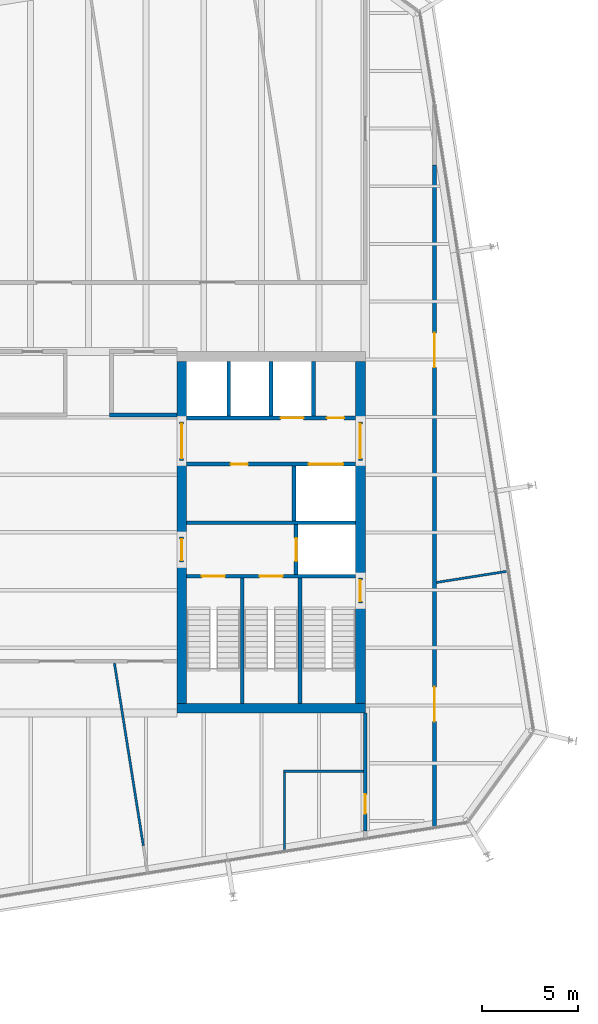
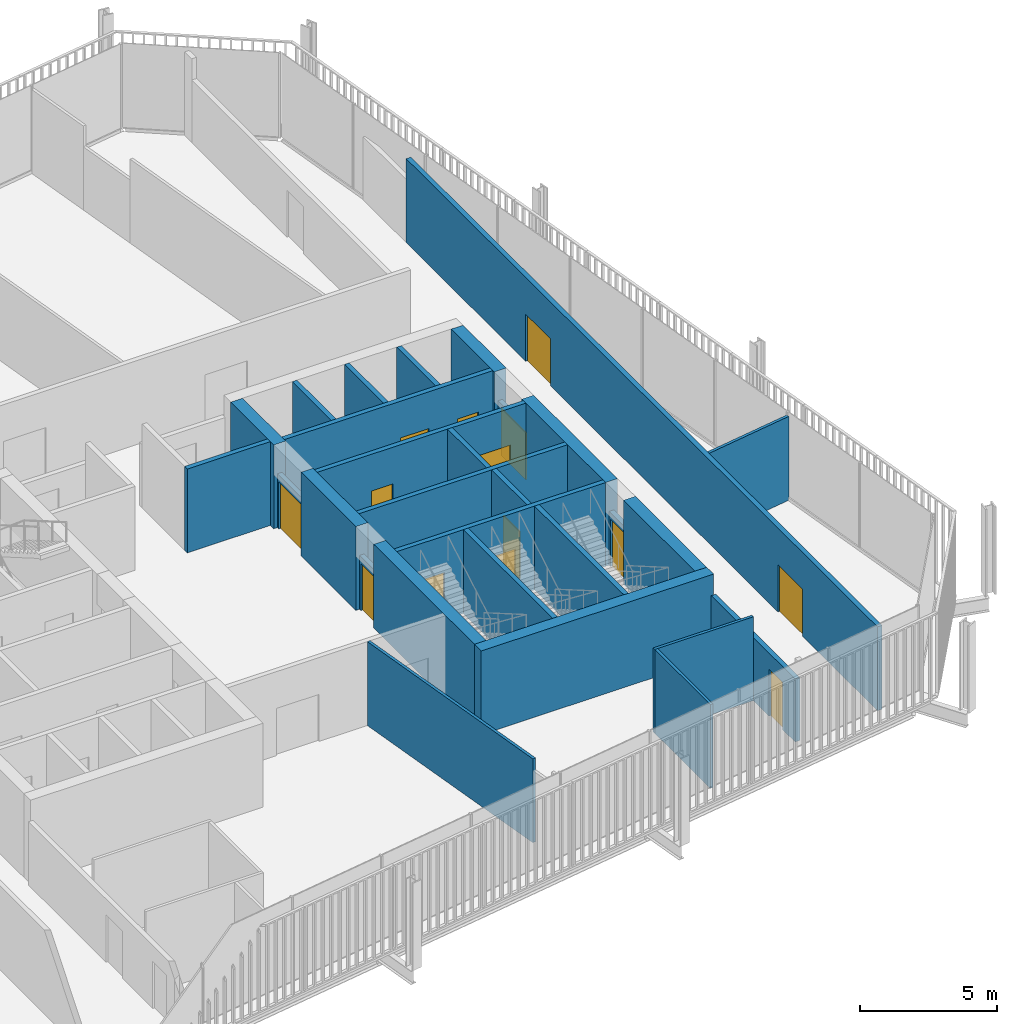
# One storey, part 17 of 20: 29 walls, 14 doors, 14 openings.
"""IFC4 building model written with IfcOpenShell, lengths in metres."""

from ifc_helpers import new_model, si_unit, direction, frame, frame_2d, origin, place, context, subcontext, project, spatial, rectangle, extrude, material, layer, layer_set, type_object, element, fill, save


model = new_model("IFC4")

# Units and contexts
model_context = context("Model", 3, precision=1e-05, world=origin(), true_north=direction((0.0, 1.0)))
body_context = subcontext(model_context, "Body", "Model", "MODEL_VIEW")
ifc_project = project(units=[si_unit("LENGTHUNIT", "METRE"), si_unit("AREAUNIT", "SQUARE_METRE"), si_unit("VOLUMEUNIT", "CUBIC_METRE"), si_unit("PLANEANGLEUNIT", "RADIAN"), si_unit("MASSUNIT", "GRAM", prefix="KILO")], contexts=[model_context])

# Site, building, storey
site_placement = place(None, origin())
site = spatial("IfcSite", under=ifc_project, at=site_placement, CompositionType="ELEMENT")
building_placement = place(site_placement, origin())
building = spatial("IfcBuilding", under=site, at=building_placement, Name="Millrace Tower", CompositionType="ELEMENT")
storey_placement = place(building_placement, frame((0.0, 0.0, 224.199951171875)))
storey = spatial("IfcBuildingStorey", under=building, at=storey_placement, Name="L51", CompositionType="ELEMENT", Elevation=224.199951171875)

# Walls
ifc_material_1 = material(Name="Concrete C60", Category="concrete")
ifc_layer_1 = layer(ifc_material_1, 0.5)
ifc_layer_set_1 = layer_set([ifc_layer_1], Name="Concrete C60")
wall_type_1 = type_object("IfcWallType", Name="Core wall 500 Concrete C60", PredefinedType="SHEAR", material=ifc_layer_set_1)
wall_1_placement = place(storey_placement, frame((14.39990234375, -9.14990234375, 0.0), z_axis=(0.0, 0.0, 1.0), x_axis=(-1.0, 0.0, 0.0)))
element("IfcWall", 1, at=wall_1_placement, inside=storey, type_object=wall_type_1, Name="Core wall E L51", PredefinedType="SHEAR", context=body_context, shape_type="SweptSolid", body=[
    extrude(rectangle(XDim=9.7998046875, YDim=0.5, at=frame_2d((4.89990234375, 0.0))), origin(), (0.0, 0.0, 1.0), 3.739990234375),
])
wall_2_placement = place(storey_placement, frame((14.14990234375, 8.89990234375, 0.0), z_axis=(0.0, 0.0, 1.0), x_axis=(0.0, -1.0, 0.0)))
element("IfcWall", 2, at=wall_2_placement, inside=storey, type_object=wall_type_1, Name="Core wall E L51", PredefinedType="SHEAR", context=body_context, shape_type="SweptSolid", body=[
    extrude(rectangle(XDim=3.14990234375, YDim=0.5, at=frame_2d((1.574951171875, 0.0))), origin(), (0.0, 0.0, 1.0), 3.739990234375),
])
wall_3_placement = place(storey_placement, frame((14.14990234375, 3.75, 0.0), z_axis=(0.0, 0.0, 1.0), x_axis=(0.0, -1.0, 0.0)))
element("IfcWall", 3, at=wall_3_placement, inside=storey, type_object=wall_type_1, Name="Core wall E L51", PredefinedType="SHEAR", context=body_context, shape_type="SweptSolid", body=[
    extrude(rectangle(XDim=6.1298828125, YDim=0.5, at=frame_2d((3.06494140625, 0.0))), origin(), (0.0, 0.0, 1.0), 3.739990234375),
])
wall_4_placement = place(storey_placement, frame((14.14990234375, -3.679931640625, 0.0), z_axis=(0.0, 0.0, 1.0), x_axis=(0.0, -1.0, 0.0)))
element("IfcWall", 4, at=wall_4_placement, inside=storey, type_object=wall_type_1, Name="Core wall E L51", PredefinedType="SHEAR", context=body_context, shape_type="SweptSolid", body=[
    extrude(rectangle(XDim=5.219970703125, YDim=0.5, at=frame_2d((2.60986328125, 0.0))), origin(), (0.0, 0.0, 1.0), 3.739990234375),
])
wall_5_placement = place(storey_placement, frame((4.85009765625, 8.89990234375, 0.0), z_axis=(0.0, 0.0, 1.0), x_axis=(0.0, -1.0, 0.0)))
element("IfcWall", 5, at=wall_5_placement, inside=storey, type_object=wall_type_1, Name="Core wall E L51", PredefinedType="SHEAR", context=body_context, shape_type="SweptSolid", body=[
    extrude(rectangle(XDim=3.14990234375, YDim=0.5, at=frame_2d((1.574951171875, 0.0))), origin(), (0.0, 0.0, 1.0), 3.739990234375),
])
wall_6_placement = place(storey_placement, frame((4.85009765625, 3.75, 0.0), z_axis=(0.0, 0.0, 1.0), x_axis=(0.0, -1.0, 0.0)))
element("IfcWall", 6, at=wall_6_placement, inside=storey, type_object=wall_type_1, Name="Core wall E L51", PredefinedType="SHEAR", context=body_context, shape_type="SweptSolid", body=[
    extrude(rectangle(XDim=4.0, YDim=0.5, at=frame_2d((2.0, 0.0))), origin(), (0.0, 0.0, 1.0), 3.739990234375),
])
wall_7_placement = place(storey_placement, frame((4.85009765625, -1.550048828125, 0.0), z_axis=(0.0, 0.0, 1.0), x_axis=(0.0, -1.0, 0.0)))
element("IfcWall", 7, at=wall_7_placement, inside=storey, type_object=wall_type_1, Name="Core wall E L51", PredefinedType="SHEAR", context=body_context, shape_type="SweptSolid", body=[
    extrude(rectangle(XDim=7.349853515625, YDim=0.5, at=frame_2d((3.6748046875, 0.0))), origin(), (0.0, 0.0, 1.0), 3.739990234375),
])
ifc_material_2 = material(Name="Masonry partition, fire-rated", Category="masonry")
ifc_layer_2 = layer(ifc_material_2, 0.199951171875)
ifc_layer_set_2 = layer_set([ifc_layer_2], Name="Masonry partition, fire-rated")
wall_type_2 = type_object("IfcWallType", Name="Corridor wall 200", PredefinedType="PARTITIONING", material=ifc_layer_set_2)
wall_8_placement = place(storey_placement, frame((1.10009765625, 6.10009765625, 0.0), z_axis=(0.0, 0.0, 1.0), x_axis=(1.0, 0.0, 0.0)))
element("IfcWall", 8, at=wall_8_placement, inside=storey, type_object=wall_type_2, Name="Corridor wall L51", PredefinedType="PARTITIONING", context=body_context, shape_type="SweptSolid", body=[
    extrude(rectangle(XDim=3.5, YDim=0.199951171875, at=frame_2d((1.75, 0.0))), origin(), (0.0, 0.0, 1.0), 3.739990234375),
])

# Wall, openings, doors
wall_9_placement = place(storey_placement, frame((18.0, -15.304443359375, 0.0), z_axis=(0.0, 0.0, 1.0), x_axis=(0.0, 1.0, 0.0)))
wall_9 = element("IfcWall", 9, at=wall_9_placement, inside=storey, type_object=wall_type_2, Name="Corridor wall L51", PredefinedType="PARTITIONING", context=body_context, shape_type="SweptSolid", body=[
    extrude(rectangle(XDim=34.421630859375, YDim=0.199951171875, at=frame_2d((17.2109375, 0.0))), origin(), (0.0, 0.0, 1.0), 3.739990234375),
])
opening_1_placement = place(wall_9_placement, frame((5.46826171875, 0.0, 0.0)))
opening_1 = element("IfcOpeningElement", 10, at=opening_1_placement, cuts=wall_9, Name="Opening 51-P012", PredefinedType="OPENING", context=body_context, shape_type="SweptSolid", body=[
    extrude(rectangle(XDim=1.800048828125, YDim=2.10009765625, at=frame_2d((0.89990234375, 1.050048828125))), frame((0.0, 0.10986328125, 0.0), z_axis=(0.0, -1.0, 0.0), x_axis=(1.0, 0.0, 0.0)), (0.0, 0.0, 1.0), 0.219970703125),
])
opening_2_placement = place(wall_9_placement, frame((23.887939453125, 0.0, 0.0)))
opening_2 = element("IfcOpeningElement", 11, at=opening_2_placement, cuts=wall_9, Name="Opening 51-P013", PredefinedType="OPENING", context=body_context, shape_type="SweptSolid", body=[
    extrude(rectangle(XDim=1.800048828125, YDim=2.10009765625, at=frame_2d((0.89990234375, 1.050048828125))), frame((0.0, 0.10986328125, 0.0), z_axis=(0.0, -1.0, 0.0), x_axis=(1.0, 0.0, 0.0)), (0.0, 0.0, 1.0), 0.219970703125),
])
ifc_material_3 = material(Name="Steel door set, fire-rated", Category="steel")
door_type_1 = type_object("IfcDoorType", Name="Corridor door 1800 x 2100", OperationType="DOUBLE_DOOR_SINGLE_SWING", PredefinedType="DOOR", material=ifc_material_3)
door_1_placement = place(opening_1_placement, frame((1.800048828125, 0.0, 0.0), z_axis=(0.0, 0.0, 1.0), x_axis=(-1.0, 0.0, 0.0)))
door_1 = element("IfcDoor", 12, at=door_1_placement, inside=storey, type_object=door_type_1, Name="Door 51-P012", OperationType="DOUBLE_DOOR_SINGLE_SWING", OverallHeight=2.10009765625, OverallWidth=1.800048828125, PredefinedType="DOOR", context=body_context, shape_type="SweptSolid", body=[
    extrude(rectangle(XDim=1.800048828125, YDim=2.10009765625, at=frame_2d((0.89990234375, 1.050048828125))), frame((0.0, 0.02490234375, 0.0), z_axis=(0.0, -1.0, 0.0), x_axis=(1.0, 0.0, 0.0)), (0.0, 0.0, 1.0), 0.050048828125),
])
fill(opening_1, door_1)
door_2_placement = place(opening_2_placement, frame((1.800048828125, 0.0, 0.0), z_axis=(0.0, 0.0, 1.0), x_axis=(-1.0, 0.0, 0.0)))
door_2 = element("IfcDoor", 13, at=door_2_placement, inside=storey, type_object=door_type_1, Name="Door 51-P013", OperationType="DOUBLE_DOOR_SINGLE_SWING", OverallHeight=2.10009765625, OverallWidth=1.800048828125, PredefinedType="DOOR", context=body_context, shape_type="SweptSolid", body=[
    extrude(rectangle(XDim=1.800048828125, YDim=2.10009765625, at=frame_2d((0.89990234375, 1.050048828125))), frame((0.0, 0.02490234375, 0.0), z_axis=(0.0, -1.0, 0.0), x_axis=(1.0, 0.0, 0.0)), (0.0, 0.0, 1.0), 0.050048828125),
])
fill(opening_2, door_2)

# Wall, opening, door
wall_10_placement = place(storey_placement, frame((14.39990234375, -15.52490234375, 0.0), z_axis=(0.0, 0.0, 1.0), x_axis=(0.0, 1.0, 0.0)))
wall_10 = element("IfcWall", 14, at=wall_10_placement, inside=storey, type_object=wall_type_2, Name="Corridor wall L51", PredefinedType="PARTITIONING", context=body_context, shape_type="SweptSolid", body=[
    extrude(rectangle(XDim=6.125, YDim=0.199951171875, at=frame_2d((3.0625, 0.0))), origin(), (0.0, 0.0, 1.0), 2.81298828125),
])
opening_3_placement = place(wall_10_placement, frame((0.90087890625, 0.0, 0.0)))
opening_3 = element("IfcOpeningElement", 15, at=opening_3_placement, cuts=wall_10, Name="Opening 51-P018", PredefinedType="OPENING", context=body_context, shape_type="SweptSolid", body=[
    extrude(rectangle(XDim=1.0, YDim=2.10009765625, at=frame_2d((0.5, 1.050048828125))), frame((0.0, 0.10986328125, 0.0), z_axis=(0.0, -1.0, 0.0), x_axis=(1.0, 0.0, 0.0)), (0.0, 0.0, 1.0), 0.219970703125),
])
ifc_material_4 = material(Name="Steel door set, fire-rated", Category="steel")
door_type_2 = type_object("IfcDoorType", Name="Corridor door 1000 x 2100", OperationType="SINGLE_SWING_LEFT", PredefinedType="DOOR", material=ifc_material_4)
door_3_placement = place(opening_3_placement, origin())
door_3 = element("IfcDoor", 16, at=door_3_placement, inside=storey, type_object=door_type_2, Name="Door 51-P018", OperationType="SINGLE_SWING_LEFT", OverallHeight=2.10009765625, OverallWidth=1.0, PredefinedType="DOOR", context=body_context, shape_type="SweptSolid", body=[
    extrude(rectangle(XDim=1.0, YDim=2.10009765625, at=frame_2d((0.5, 1.050048828125))), frame((0.0, 0.02490234375, 0.0), z_axis=(0.0, -1.0, 0.0), x_axis=(1.0, 0.0, 0.0)), (0.0, 0.0, 1.0), 0.050048828125),
])
fill(opening_3, door_3)

# Wall, openings, doors
ifc_material_5 = material(Name="Masonry partition, fire-rated", Category="masonry")
ifc_layer_3 = layer(ifc_material_5, 0.199951171875)
ifc_layer_set_3 = layer_set([ifc_layer_3], Name="Masonry partition, fire-rated")
wall_type_3 = type_object("IfcWallType", Name="Lift shaft wall 200", PredefinedType="PARTITIONING", material=ifc_layer_set_3)
wall_11_placement = place(storey_placement, frame((13.89990234375, 5.949951171875, 0.0), z_axis=(0.0, 0.0, 1.0), x_axis=(-1.0, 0.0, 0.0)))
wall_11 = element("IfcWall", 17, at=wall_11_placement, inside=storey, type_object=wall_type_3, Name="Lift shaft wall E L51", PredefinedType="PARTITIONING", context=body_context, shape_type="SweptSolid", body=[
    extrude(rectangle(XDim=8.7998046875, YDim=0.199951171875, at=frame_2d((4.39990234375, 0.0))), origin(), (0.0, 0.0, 1.0), 3.739990234375),
])
opening_4_placement = place(wall_11_placement, frame((2.699951171875, 0.0, 0.0)))
opening_4 = element("IfcOpeningElement", 18, at=opening_4_placement, cuts=wall_11, Name="Opening 51-LD10", PredefinedType="OPENING", context=body_context, shape_type="SweptSolid", body=[
    extrude(rectangle(XDim=1.199951171875, YDim=2.10009765625, at=frame_2d((0.60009765625, 1.050048828125))), frame((0.0, 0.10986328125, 0.0), z_axis=(0.0, -1.0, 0.0), x_axis=(1.0, 0.0, 0.0)), (0.0, 0.0, 1.0), 0.219970703125),
])
opening_5_placement = place(wall_11_placement, frame((0.60009765625, 0.0, 0.0)))
opening_5 = element("IfcOpeningElement", 19, at=opening_5_placement, cuts=wall_11, Name="Opening 51-C013", PredefinedType="OPENING", context=body_context, shape_type="SweptSolid", body=[
    extrude(rectangle(XDim=0.89990234375, YDim=2.10009765625, at=frame_2d((0.449951171875, 1.050048828125))), frame((0.0, 0.10986328125, 0.0), z_axis=(0.0, -1.0, 0.0), x_axis=(1.0, 0.0, 0.0)), (0.0, 0.0, 1.0), 0.219970703125),
])
ifc_material_6 = material(Name="Stainless steel, fire-rated", Category="steel")
door_type_3 = type_object("IfcDoorType", Name="Lift landing door 1200 x 2100", OperationType="DOUBLE_DOOR_SLIDING", PredefinedType="DOOR", material=ifc_material_6)
door_4_placement = place(opening_4_placement, origin())
door_4 = element("IfcDoor", 20, at=door_4_placement, inside=storey, type_object=door_type_3, Name="Lift landing door LF10 L51", OperationType="DOUBLE_DOOR_SLIDING", OverallHeight=2.10009765625, OverallWidth=1.199951171875, PredefinedType="DOOR", context=body_context, shape_type="SweptSolid", body=[
    extrude(rectangle(XDim=1.199951171875, YDim=2.10009765625, at=frame_2d((0.60009765625, 1.050048828125))), frame((0.0, 0.02490234375, 0.0), z_axis=(0.0, -1.0, 0.0), x_axis=(1.0, 0.0, 0.0)), (0.0, 0.0, 1.0), 0.050048828125),
])
fill(opening_4, door_4)
ifc_material_7 = material(Name="Steel door, fire-rated", Category="steel")
door_type_4 = type_object("IfcDoorType", Name="Service room door 900 x 2100", OperationType="SINGLE_SWING_LEFT", PredefinedType="DOOR", material=ifc_material_7)
door_5_placement = place(opening_5_placement, frame((0.89990234375, 0.0, 0.0), z_axis=(0.0, 0.0, 1.0), x_axis=(-1.0, 0.0, 0.0)))
door_5 = element("IfcDoor", 21, at=door_5_placement, inside=storey, type_object=door_type_4, Name="Service room door 51-C013", OperationType="SINGLE_SWING_RIGHT", OverallHeight=2.10009765625, OverallWidth=0.89990234375, PredefinedType="DOOR", context=body_context, shape_type="SweptSolid", body=[
    extrude(rectangle(XDim=0.89990234375, YDim=2.10009765625, at=frame_2d((0.449951171875, 1.050048828125))), frame((0.0, 0.02490234375, 0.0), z_axis=(0.0, -1.0, 0.0), x_axis=(1.0, 0.0, 0.0)), (0.0, 0.0, 1.0), 0.050048828125),
])
fill(opening_5, door_5)

wall_12_placement = place(storey_placement, frame((13.89990234375, 3.550048828125, 0.0), z_axis=(0.0, 0.0, 1.0), x_axis=(-1.0, 0.0, 0.0)))
wall_12 = element("IfcWall", 22, at=wall_12_placement, inside=storey, type_object=wall_type_3, Name="Lift shaft wall E L51", PredefinedType="PARTITIONING", context=body_context, shape_type="SweptSolid", body=[
    extrude(rectangle(XDim=8.7998046875, YDim=0.199951171875, at=frame_2d((4.39990234375, 0.0))), origin(), (0.0, 0.0, 1.0), 3.739990234375),
])
opening_6_placement = place(wall_12_placement, frame((0.64990234375, 0.0, 0.0)))
opening_6 = element("IfcOpeningElement", 23, at=opening_6_placement, cuts=wall_12, Name="Opening 51-LD13", PredefinedType="OPENING", context=body_context, shape_type="SweptSolid", body=[
    extrude(rectangle(XDim=1.800048828125, YDim=2.10009765625, at=frame_2d((0.89990234375, 1.050048828125))), frame((0.0, 0.10986328125, 0.0), z_axis=(0.0, -1.0, 0.0), x_axis=(1.0, 0.0, 0.0)), (0.0, 0.0, 1.0), 0.219970703125),
])
opening_7_placement = place(wall_12_placement, frame((5.60009765625, 0.0, 0.0)))
opening_7 = element("IfcOpeningElement", 24, at=opening_7_placement, cuts=wall_12, Name="Opening 51-C014", PredefinedType="OPENING", context=body_context, shape_type="SweptSolid", body=[
    extrude(rectangle(XDim=0.89990234375, YDim=2.10009765625, at=frame_2d((0.449951171875, 1.050048828125))), frame((0.0, 0.10986328125, 0.0), z_axis=(0.0, -1.0, 0.0), x_axis=(1.0, 0.0, 0.0)), (0.0, 0.0, 1.0), 0.219970703125),
])
ifc_material_8 = material(Name="Stainless steel, fire-rated", Category="steel")
door_type_5 = type_object("IfcDoorType", Name="Lift landing door 1800 x 2100", OperationType="DOUBLE_DOOR_SLIDING", PredefinedType="DOOR", material=ifc_material_8)
door_6_placement = place(opening_6_placement, origin())
door_6 = element("IfcDoor", 25, at=door_6_placement, inside=storey, type_object=door_type_5, Name="Lift landing door LF13 L51", OperationType="DOUBLE_DOOR_SLIDING", OverallHeight=2.10009765625, OverallWidth=1.800048828125, PredefinedType="DOOR", context=body_context, shape_type="SweptSolid", body=[
    extrude(rectangle(XDim=1.800048828125, YDim=2.10009765625, at=frame_2d((0.89990234375, 1.050048828125))), frame((0.0, 0.02490234375, 0.0), z_axis=(0.0, -1.0, 0.0), x_axis=(1.0, 0.0, 0.0)), (0.0, 0.0, 1.0), 0.050048828125),
])
fill(opening_6, door_6)
door_7_placement = place(opening_7_placement, origin())
door_7 = element("IfcDoor", 26, at=door_7_placement, inside=storey, type_object=door_type_4, Name="Service room door 51-C014", OperationType="SINGLE_SWING_RIGHT", OverallHeight=2.10009765625, OverallWidth=0.89990234375, PredefinedType="DOOR", context=body_context, shape_type="SweptSolid", body=[
    extrude(rectangle(XDim=0.89990234375, YDim=2.10009765625, at=frame_2d((0.449951171875, 1.050048828125))), frame((0.0, 0.02490234375, 0.0), z_axis=(0.0, -1.0, 0.0), x_axis=(1.0, 0.0, 0.0)), (0.0, 0.0, 1.0), 0.050048828125),
])
fill(opening_7, door_7)

# Wall
wall_13_placement = place(storey_placement, frame((13.89990234375, 0.5, 0.0), z_axis=(0.0, 0.0, 1.0), x_axis=(-1.0, 0.0, 0.0)))
element("IfcWall", 27, at=wall_13_placement, inside=storey, type_object=wall_type_3, Name="Lift shaft wall E L51", PredefinedType="PARTITIONING", context=body_context, shape_type="SweptSolid", body=[
    extrude(rectangle(XDim=8.7998046875, YDim=0.199951171875, at=frame_2d((4.39990234375, 0.0))), origin(), (0.0, 0.0, 1.0), 3.739990234375),
])

# Wall, opening, door
wall_14_placement = place(storey_placement, frame((10.800048828125, 0.39990234375, 0.0), z_axis=(0.0, 0.0, 1.0), x_axis=(0.0, -1.0, 0.0)))
wall_14 = element("IfcWall", 28, at=wall_14_placement, inside=storey, type_object=wall_type_3, Name="Lift shaft wall E L51", PredefinedType="PARTITIONING", context=body_context, shape_type="SweptSolid", body=[
    extrude(rectangle(XDim=2.579833984375, YDim=0.199951171875, at=frame_2d((1.2900390625, 0.0))), origin(), (0.0, 0.0, 1.0), 3.739990234375),
])
opening_8_placement = place(wall_14_placement, frame((0.68994140625, 0.0, 0.0)))
opening_8 = element("IfcOpeningElement", 29, at=opening_8_placement, cuts=wall_14, Name="Opening 51-LD16", PredefinedType="OPENING", context=body_context, shape_type="SweptSolid", body=[
    extrude(rectangle(XDim=1.199951171875, YDim=2.10009765625, at=frame_2d((0.60009765625, 1.050048828125))), frame((0.0, 0.10986328125, 0.0), z_axis=(0.0, -1.0, 0.0), x_axis=(1.0, 0.0, 0.0)), (0.0, 0.0, 1.0), 0.219970703125),
])
door_8_placement = place(opening_8_placement, origin())
door_8 = element("IfcDoor", 30, at=door_8_placement, inside=storey, type_object=door_type_3, Name="Lift landing door LF16 L51", OperationType="DOUBLE_DOOR_SLIDING", OverallHeight=2.10009765625, OverallWidth=1.199951171875, PredefinedType="DOOR", context=body_context, shape_type="SweptSolid", body=[
    extrude(rectangle(XDim=1.199951171875, YDim=2.10009765625, at=frame_2d((0.60009765625, 1.050048828125))), frame((0.0, 0.02490234375, 0.0), z_axis=(0.0, -1.0, 0.0), x_axis=(1.0, 0.0, 0.0)), (0.0, 0.0, 1.0), 0.050048828125),
])
fill(opening_8, door_8)

# Walls
for number, where, z_axis, x_axis, name in (
    (31, (11.699951171875, 8.89990234375, 0.0), (0.0, 0.0, 1.0), (0.0, -1.0, 0.0), "Lift shaft wall E L51"),
    (32, (9.5, 8.89990234375, 0.0), (0.0, 0.0, 1.0), (0.0, -1.0, 0.0), "Lift shaft wall E L51"),
    (33, (7.300048828125, 8.89990234375, 0.0), (0.0, 0.0, 1.0), (0.0, -1.0, 0.0), "Lift shaft wall E L51"),
    (34, (10.699951171875, 3.449951171875, 0.0), (0.0, 0.0, 1.0), (0.0, -1.0, 0.0), "Lift shaft wall E L51"),
):
    element("IfcWall", number, at=place(storey_placement, frame(where, z_axis=z_axis, x_axis=x_axis)), inside=storey, type_object=wall_type_3, Name=name, PredefinedType="PARTITIONING", context=body_context, shape_type="SweptSolid", body=[
        extrude(rectangle(XDim=2.849853515625, YDim=0.199951171875, at=frame_2d((1.4248046875, 0.0))), origin(), (0.0, 0.0, 1.0), 3.739990234375),
    ])

# Wall, opening, door
ifc_material_9 = material(Name="Masonry partition, fire-rated", Category="masonry")
ifc_layer_4 = layer(ifc_material_9, 0.199951171875)
ifc_layer_set_4 = layer_set([ifc_layer_4], Name="Masonry partition, fire-rated")
wall_type_4 = type_object("IfcWallType", Name="Lobby wall 200", PredefinedType="PARTITIONING", material=ifc_layer_set_4)
wall_15_placement = place(storey_placement, frame((14.14990234375, 5.75, 0.0), z_axis=(0.0, 0.0, 1.0), x_axis=(0.0, -1.0, 0.0)))
wall_15 = element("IfcWall", 35, at=wall_15_placement, inside=storey, type_object=wall_type_4, Name="Lobby wall E L51", PredefinedType="PARTITIONING", context=body_context, shape_type="SweptSolid", body=[
    extrude(rectangle(XDim=2.0, YDim=0.199951171875, at=frame_2d((1.0, 0.0))), origin(), (0.0, 0.0, 1.0), 2.400146484375),
])
opening_9_placement = place(wall_15_placement, frame((0.10009765625, 0.0, 0.0)))
opening_9 = element("IfcOpeningElement", 36, at=opening_9_placement, cuts=wall_15, Name="Opening 51-C009", PredefinedType="OPENING", context=body_context, shape_type="SweptSolid", body=[
    extrude(rectangle(XDim=1.800048828125, YDim=2.10009765625, at=frame_2d((0.89990234375, 1.050048828125))), frame((0.0, 0.10986328125, 0.0), z_axis=(0.0, -1.0, 0.0), x_axis=(1.0, 0.0, 0.0)), (0.0, 0.0, 1.0), 0.219970703125),
])
ifc_material_10 = material(Name="Steel door, fire-rated", Category="steel")
door_type_6 = type_object("IfcDoorType", Name="Lobby door 1800 x 2100", OperationType="DOUBLE_DOOR_SINGLE_SWING", PredefinedType="DOOR", material=ifc_material_10)
door_9_placement = place(opening_9_placement, origin())
door_9 = element("IfcDoor", 37, at=door_9_placement, inside=storey, type_object=door_type_6, Name="Lobby door 51-C009", OperationType="DOUBLE_DOOR_SINGLE_SWING", OverallHeight=2.10009765625, OverallWidth=1.800048828125, PredefinedType="DOOR", context=body_context, shape_type="SweptSolid", body=[
    extrude(rectangle(XDim=1.800048828125, YDim=2.10009765625, at=frame_2d((0.89990234375, 1.050048828125))), frame((0.0, 0.02490234375, 0.0), z_axis=(0.0, -1.0, 0.0), x_axis=(1.0, 0.0, 0.0)), (0.0, 0.0, 1.0), 0.050048828125),
])
fill(opening_9, door_9)

wall_16_placement = place(storey_placement, frame((4.85009765625, 5.75, 0.0), z_axis=(0.0, 0.0, 1.0), x_axis=(0.0, -1.0, 0.0)))
wall_16 = element("IfcWall", 38, at=wall_16_placement, inside=storey, type_object=wall_type_4, Name="Lobby wall E L51", PredefinedType="PARTITIONING", context=body_context, shape_type="SweptSolid", body=[
    extrude(rectangle(XDim=2.0, YDim=0.199951171875, at=frame_2d((1.0, 0.0))), origin(), (0.0, 0.0, 1.0), 2.400146484375),
])
opening_10_placement = place(wall_16_placement, frame((0.10009765625, 0.0, 0.0)))
opening_10 = element("IfcOpeningElement", 39, at=opening_10_placement, cuts=wall_16, Name="Opening 51-C011", PredefinedType="OPENING", context=body_context, shape_type="SweptSolid", body=[
    extrude(rectangle(XDim=1.800048828125, YDim=2.10009765625, at=frame_2d((0.89990234375, 1.050048828125))), frame((0.0, 0.10986328125, 0.0), z_axis=(0.0, -1.0, 0.0), x_axis=(1.0, 0.0, 0.0)), (0.0, 0.0, 1.0), 0.219970703125),
])
door_10_placement = place(opening_10_placement, frame((1.800048828125, 0.0, 0.0), z_axis=(0.0, 0.0, 1.0), x_axis=(-1.0, 0.0, 0.0)))
door_10 = element("IfcDoor", 40, at=door_10_placement, inside=storey, type_object=door_type_6, Name="Lobby door 51-C011", OperationType="DOUBLE_DOOR_SINGLE_SWING", OverallHeight=2.10009765625, OverallWidth=1.800048828125, PredefinedType="DOOR", context=body_context, shape_type="SweptSolid", body=[
    extrude(rectangle(XDim=1.800048828125, YDim=2.10009765625, at=frame_2d((0.89990234375, 1.050048828125))), frame((0.0, 0.02490234375, 0.0), z_axis=(0.0, -1.0, 0.0), x_axis=(1.0, 0.0, 0.0)), (0.0, 0.0, 1.0), 0.050048828125),
])
fill(opening_10, door_10)

wall_17_placement = place(storey_placement, frame((4.85009765625, -0.25, 0.0), z_axis=(0.0, 0.0, 1.0), x_axis=(0.0, -1.0, 0.0)))
wall_17 = element("IfcWall", 41, at=wall_17_placement, inside=storey, type_object=wall_type_4, Name="Lobby wall E L51", PredefinedType="PARTITIONING", context=body_context, shape_type="SweptSolid", body=[
    extrude(rectangle(XDim=1.300048828125, YDim=0.199951171875, at=frame_2d((0.64990234375, 0.0))), origin(), (0.0, 0.0, 1.0), 2.400146484375),
])
opening_11_placement = place(wall_17_placement, frame((0.10009765625, 0.0, 0.0)))
opening_11 = element("IfcOpeningElement", 42, at=opening_11_placement, cuts=wall_17, Name="Opening 51-C012", PredefinedType="OPENING", context=body_context, shape_type="SweptSolid", body=[
    extrude(rectangle(XDim=1.10009765625, YDim=2.10009765625, at=frame_2d((0.550048828125, 1.050048828125))), frame((0.0, 0.10986328125, 0.0), z_axis=(0.0, -1.0, 0.0), x_axis=(1.0, 0.0, 0.0)), (0.0, 0.0, 1.0), 0.219970703125),
])
ifc_material_11 = material(Name="Steel door, fire-rated", Category="steel")
door_type_7 = type_object("IfcDoorType", Name="Lobby door 1100 x 2100", OperationType="SINGLE_SWING_LEFT", PredefinedType="DOOR", material=ifc_material_11)
door_11_placement = place(opening_11_placement, frame((1.10009765625, 0.0, 0.0), z_axis=(0.0, 0.0, 1.0), x_axis=(-1.0, 0.0, 0.0)))
door_11 = element("IfcDoor", 43, at=door_11_placement, inside=storey, type_object=door_type_7, Name="Lobby door 51-C012", OperationType="SINGLE_SWING_LEFT", OverallHeight=2.10009765625, OverallWidth=1.10009765625, PredefinedType="DOOR", context=body_context, shape_type="SweptSolid", body=[
    extrude(rectangle(XDim=1.10009765625, YDim=2.10009765625, at=frame_2d((0.550048828125, 1.050048828125))), frame((0.0, 0.02490234375, 0.0), z_axis=(0.0, -1.0, 0.0), x_axis=(1.0, 0.0, 0.0)), (0.0, 0.0, 1.0), 0.050048828125),
])
fill(opening_11, door_11)

# Walls
ifc_material_12 = material(Name="Gypsum board partition")
ifc_layer_5 = layer(ifc_material_12, 0.1201171875)
ifc_layer_set_5 = layer_set([ifc_layer_5], Name="Gypsum board partition")
wall_type_5 = type_object("IfcWallType", Name="Partition wall 120", PredefinedType="PARTITIONING", material=ifc_layer_set_5)
wall_18_placement = place(storey_placement, frame((1.355712890625, -6.798828125, 0.0), z_axis=(0.0, 0.0, 1.0), x_axis=(0.15639059341, -0.98769528818, 0.0)))
element("IfcWall", 44, at=wall_18_placement, inside=storey, type_object=wall_type_5, Name="Partition wall L51", PredefinedType="PARTITIONING", context=body_context, shape_type="SweptSolid", body=[
    extrude(rectangle(XDim=9.60693359375, YDim=0.1201171875, at=frame_2d((4.803466796875, 0.0))), origin(), (0.0, 0.0, 1.0), 3.739990234375),
])
wall_19_placement = place(storey_placement, frame((10.14013671875, -12.424072265625, 0.0), z_axis=(0.0, 0.0, 1.0), x_axis=(1.0, 0.0, 0.0)))
element("IfcWall", 45, at=wall_19_placement, inside=storey, type_object=wall_type_5, Name="Partition wall L51", PredefinedType="PARTITIONING", context=body_context, shape_type="SweptSolid", body=[
    extrude(rectangle(XDim=4.159912109375, YDim=0.1201171875, at=frame_2d((2.080078125, 0.0))), origin(), (0.0, 0.0, 1.0), 3.739990234375),
])
wall_20_placement = place(storey_placement, frame((18.098876953125, -2.602294921875, 0.0), z_axis=(0.0, 0.0, 1.0), x_axis=(0.987708331923, 0.156308192521, 0.0)))
element("IfcWall", 46, at=wall_20_placement, inside=storey, type_object=wall_type_5, Name="Partition wall L51", PredefinedType="PARTITIONING", context=body_context, shape_type="SweptSolid", body=[
    extrude(rectangle(XDim=3.736083984375, YDim=0.1201171875, at=frame_2d((1.8681640625, 0.0))), origin(), (0.0, 0.0, 1.0), 3.739990234375),
])
wall_21_placement = place(storey_placement, frame((10.199951171875, -16.539794921875, 0.0), z_axis=(0.0, 0.0, 1.0), x_axis=(0.0, 1.0, 0.0)))
element("IfcWall", 47, at=wall_21_placement, inside=storey, type_object=wall_type_5, Name="Partition wall L51", PredefinedType="PARTITIONING", context=body_context, shape_type="SweptSolid", body=[
    extrude(rectangle(XDim=4.0556640625, YDim=0.1201171875, at=frame_2d((2.02783203125, 0.0))), origin(), (0.0, 0.0, 1.0), 3.739990234375),
])

# Wall, opening, door
ifc_material_13 = material(Name="Concrete C40", Category="concrete")
ifc_layer_6 = layer(ifc_material_13, 0.199951171875)
ifc_layer_set_6 = layer_set([ifc_layer_6], Name="Concrete C40")
wall_type_6 = type_object("IfcWallType", Name="Stair enclosure wall 200 Concrete C40", PredefinedType="SHEAR", material=ifc_layer_set_6)
wall_22_placement = place(storey_placement, frame((14.14990234375, -2.3798828125, 0.0), z_axis=(0.0, 0.0, 1.0), x_axis=(0.0, -1.0, 0.0)))
wall_22 = element("IfcWall", 48, at=wall_22_placement, inside=storey, type_object=wall_type_6, Name="Stair enclosure wall E L51", PredefinedType="SHEAR", context=body_context, shape_type="SweptSolid", body=[
    extrude(rectangle(XDim=1.300048828125, YDim=0.199951171875, at=frame_2d((0.64990234375, 0.0))), origin(), (0.0, 0.0, 1.0), 2.400146484375),
])
opening_12_placement = place(wall_22_placement, frame((0.10009765625, 0.0, 0.0)))
opening_12 = element("IfcOpeningElement", 49, at=opening_12_placement, cuts=wall_22, Name="Opening 51-C010", PredefinedType="OPENING", context=body_context, shape_type="SweptSolid", body=[
    extrude(rectangle(XDim=1.10009765625, YDim=2.10009765625, at=frame_2d((0.550048828125, 1.050048828125))), frame((0.0, 0.10986328125, 0.0), z_axis=(0.0, -1.0, 0.0), x_axis=(1.0, 0.0, 0.0)), (0.0, 0.0, 1.0), 0.219970703125),
])
ifc_material_14 = material(Name="Steel door, fire-rated", Category="steel")
door_type_8 = type_object("IfcDoorType", Name="Stair door 1100 x 2100", OperationType="SINGLE_SWING_LEFT", PredefinedType="DOOR", material=ifc_material_14)
door_12_placement = place(opening_12_placement, origin())
door_12 = element("IfcDoor", 50, at=door_12_placement, inside=storey, type_object=door_type_8, Name="Stair door 51-C010", OperationType="SINGLE_SWING_LEFT", OverallHeight=2.10009765625, OverallWidth=1.10009765625, PredefinedType="DOOR", context=body_context, shape_type="SweptSolid", body=[
    extrude(rectangle(XDim=1.10009765625, YDim=2.10009765625, at=frame_2d((0.550048828125, 1.050048828125))), frame((0.0, 0.02490234375, 0.0), z_axis=(0.0, -1.0, 0.0), x_axis=(1.0, 0.0, 0.0)), (0.0, 0.0, 1.0), 0.050048828125),
])
fill(opening_12, door_12)

# Wall, openings, doors
wall_23_placement = place(storey_placement, frame((13.89990234375, -2.280029296875, 0.0), z_axis=(0.0, 0.0, 1.0), x_axis=(-1.0, 0.0, 0.0)))
wall_23 = element("IfcWall", 51, at=wall_23_placement, inside=storey, type_object=wall_type_6, Name="Stair enclosure wall E L51", PredefinedType="SHEAR", context=body_context, shape_type="SweptSolid", body=[
    extrude(rectangle(XDim=8.7998046875, YDim=0.199951171875, at=frame_2d((4.39990234375, 0.0))), origin(), (0.0, 0.0, 1.0), 3.739990234375),
])
opening_13_placement = place(wall_23_placement, frame((3.800048828125, 0.0, 0.0)))
opening_13 = element("IfcOpeningElement", 52, at=opening_13_placement, cuts=wall_23, Name="Opening 51-C015", PredefinedType="OPENING", context=body_context, shape_type="SweptSolid", body=[
    extrude(rectangle(XDim=1.199951171875, YDim=2.10009765625, at=frame_2d((0.60009765625, 1.050048828125))), frame((0.0, 0.10986328125, 0.0), z_axis=(0.0, -1.0, 0.0), x_axis=(1.0, 0.0, 0.0)), (0.0, 0.0, 1.0), 0.219970703125),
])
opening_14_placement = place(wall_23_placement, frame((6.800048828125, 0.0, 0.0)))
opening_14 = element("IfcOpeningElement", 53, at=opening_14_placement, cuts=wall_23, Name="Opening 51-C016", PredefinedType="OPENING", context=body_context, shape_type="SweptSolid", body=[
    extrude(rectangle(XDim=1.199951171875, YDim=2.10009765625, at=frame_2d((0.60009765625, 1.050048828125))), frame((0.0, 0.10986328125, 0.0), z_axis=(0.0, -1.0, 0.0), x_axis=(1.0, 0.0, 0.0)), (0.0, 0.0, 1.0), 0.219970703125),
])
ifc_material_15 = material(Name="Steel door, fire-rated", Category="steel")
door_type_9 = type_object("IfcDoorType", Name="Stair door 1200 x 2100", OperationType="SINGLE_SWING_LEFT", PredefinedType="DOOR", material=ifc_material_15)
door_13_placement = place(opening_13_placement, frame((1.199951171875, 0.0, 0.0), z_axis=(0.0, 0.0, 1.0), x_axis=(-1.0, 0.0, 0.0)))
door_13 = element("IfcDoor", 54, at=door_13_placement, inside=storey, type_object=door_type_9, Name="Stair door 51-C015", OperationType="SINGLE_SWING_RIGHT", OverallHeight=2.10009765625, OverallWidth=1.199951171875, PredefinedType="DOOR", context=body_context, shape_type="SweptSolid", body=[
    extrude(rectangle(XDim=1.199951171875, YDim=2.10009765625, at=frame_2d((0.60009765625, 1.050048828125))), frame((0.0, 0.02490234375, 0.0), z_axis=(0.0, -1.0, 0.0), x_axis=(1.0, 0.0, 0.0)), (0.0, 0.0, 1.0), 0.050048828125),
])
fill(opening_13, door_13)
door_14_placement = place(opening_14_placement, frame((1.199951171875, 0.0, 0.0), z_axis=(0.0, 0.0, 1.0), x_axis=(-1.0, 0.0, 0.0)))
door_14 = element("IfcDoor", 55, at=door_14_placement, inside=storey, type_object=door_type_9, Name="Stair door 51-C016", OperationType="SINGLE_SWING_LEFT", OverallHeight=2.10009765625, OverallWidth=1.199951171875, PredefinedType="DOOR", context=body_context, shape_type="SweptSolid", body=[
    extrude(rectangle(XDim=1.199951171875, YDim=2.10009765625, at=frame_2d((0.60009765625, 1.050048828125))), frame((0.0, 0.02490234375, 0.0), z_axis=(0.0, -1.0, 0.0), x_axis=(1.0, 0.0, 0.0)), (0.0, 0.0, 1.0), 0.050048828125),
])
fill(opening_14, door_14)

# Walls
for number, where, z_axis, x_axis, name in (
    (56, (11.0, -2.3798828125, 0.0), (0.0, 0.0, 1.0), (0.0, -1.0, 0.0), "Stair enclosure wall E L51"),
    (57, (8.0, -2.3798828125, 0.0), (0.0, 0.0, 1.0), (0.0, -1.0, 0.0), "Stair enclosure wall E L51"),
):
    element("IfcWall", number, at=place(storey_placement, frame(where, z_axis=z_axis, x_axis=x_axis)), inside=storey, type_object=wall_type_6, Name=name, PredefinedType="SHEAR", context=body_context, shape_type="SweptSolid", body=[
        extrude(rectangle(XDim=6.52001953125, YDim=0.199951171875, at=frame_2d((3.260009765625, 0.0))), origin(), (0.0, 0.0, 1.0), 3.739990234375),
    ])

save(model, "model.ifc")
